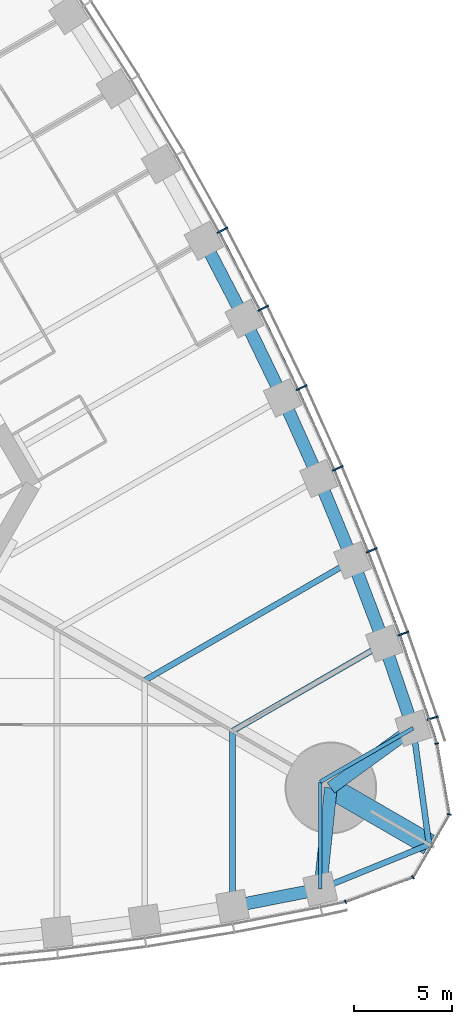
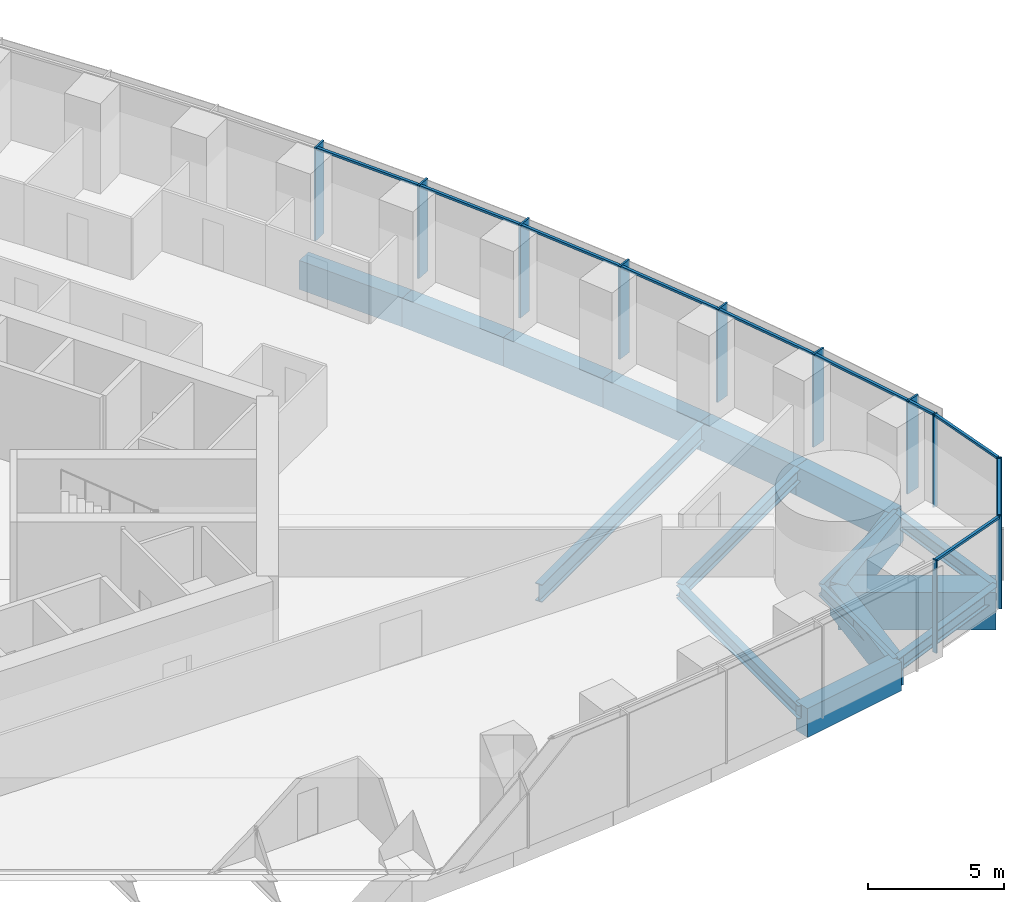
# One storey, part 6 of 18: 21 members, 17 beams, 2 elements without a shape of their own.
"""IFC4 building model written with IfcOpenShell, lengths in metres."""

import ifcopenshell
import ifcopenshell.guid

model = None  # the IFC model being written
_history = None  # IfcOwnerHistory: only IFC2X3 demands one
_inside = {}  # id of a spatial element -> (the spatial element, [elements in it])
_under = {}  # id of a project, library or spatial element -> (it, [spatial elements below it])
_declared = {}  # id of a project -> (the project, [libraries it declares])
_typed = {}  # id of a type object -> (the type object, [elements of that type])
_made_of = {}  # id of a material, layer set ... -> (it, [elements and type objects made of it])


def new_model(schema):
    """Start an empty IFC model of exactly this schema.

    Asked for "IFC4X3", IfcOpenShell would pick the latest addendum, in which some entities
    have other attributes; the version numbers below select the first issue.
    IFC2X3 requires an IfcOwnerHistory on every rooted entity: one is made here for all.
    """
    global model, _history
    if schema == "IFC4X3":
        model = ifcopenshell.file(schema_version=(4, 3, 0, 0))
    else:
        model = ifcopenshell.file(schema=schema)
    _inside.clear()
    _under.clear()
    _declared.clear()
    _typed.clear()
    _made_of.clear()
    _history = None
    if model.schema == "IFC2X3":
        org = make("IfcOrganization", Name="unknown")
        user = make(
            "IfcPersonAndOrganization",
            ThePerson=make("IfcPerson", FamilyName="unknown"),
            TheOrganization=org,
        )
        app = make(
            "IfcApplication",
            ApplicationDeveloper=org,
            Version="unknown",
            ApplicationFullName="unknown",
            ApplicationIdentifier="unknown",
        )
        _history = make(
            "IfcOwnerHistory",
            OwningUser=user,
            OwningApplication=app,
            ChangeAction="ADDED",
            CreationDate=0,
        )
    return model


def make(cls, **values):
    """One entity of the class cls with the attributes given. An attribute that is None is left unset."""
    return model.create_entity(
        cls, **{name: value for name, value in values.items() if value is not None}
    )


def rooted(cls, **values):
    """An entity with a GlobalId (a new one), such as an element, a storey or a relation."""
    return make(cls, GlobalId=ifcopenshell.guid.new(), OwnerHistory=_history, **values)


def si_unit(unit_type, name, prefix=None):
    """IfcSIUnit, for example si_unit("LENGTHUNIT", "METRE", prefix="MILLI")."""
    return make("IfcSIUnit", UnitType=unit_type, Prefix=prefix, Name=name)


def assignment(units):
    """IfcUnitAssignment: the units of a project."""
    return None if units is None else make("IfcUnitAssignment", Units=units)


def point(xyz):
    """IfcCartesianPoint."""
    return None if xyz is None else make("IfcCartesianPoint", Coordinates=xyz)


def direction(xyz):
    """IfcDirection."""
    return None if xyz is None else make("IfcDirection", DirectionRatios=xyz)


def frame(location, z_axis=None, x_axis=None):
    """IfcAxis2Placement3D, a coordinate frame: its origin and axes. An axis left out is left unset."""
    return make(
        "IfcAxis2Placement3D",
        Location=point(location),
        Axis=direction(z_axis),
        RefDirection=direction(x_axis),
    )


def frame_2d(location, x_axis=None):
    """IfcAxis2Placement2D, a coordinate frame in the plane: its origin and x axis."""
    return make(
        "IfcAxis2Placement2D", Location=point(location), RefDirection=direction(x_axis)
    )


def origin():
    """The frame at (0, 0, 0) with its axes left unset."""
    return frame((0.0, 0.0, 0.0))


def origin_2d():
    """The frame at (0, 0) in the plane with its x axis left unset."""
    return frame_2d((0.0, 0.0))


def place(relative_to, where):
    """IfcLocalPlacement: puts the frame where relative to a parent placement (None: the world)."""
    return make(
        "IfcLocalPlacement", PlacementRelTo=relative_to, RelativePlacement=where
    )


def context(
    kind, dimensions, precision=None, world=None, true_north=None, identifier=None
):
    """IfcGeometricRepresentationContext, for example the 3D "Model" context."""
    return make(
        "IfcGeometricRepresentationContext",
        ContextIdentifier=identifier,
        ContextType=kind,
        CoordinateSpaceDimension=dimensions,
        Precision=precision,
        WorldCoordinateSystem=world,
        TrueNorth=true_north,
    )


def subcontext(parent, identifier, kind, view, scale=None):
    """IfcGeometricRepresentationSubContext, for example "Body" below "Model"."""
    return make(
        "IfcGeometricRepresentationSubContext",
        ContextIdentifier=identifier,
        ContextType=kind,
        ParentContext=parent,
        TargetScale=scale,
        TargetView=view,
    )


def project(units=None, contexts=None):
    """IfcProject with its units and contexts."""
    return rooted(
        "IfcProject",
        Name="project",
        RepresentationContexts=contexts,
        UnitsInContext=assignment(units),
    )


def spatial(cls, under=None, at=None, **own):
    """A site, building, storey or space (cls), placed at a placement, below another one or the project."""
    s = rooted(cls, ObjectPlacement=at, **own)
    if under is not None:
        _under.setdefault(under.id(), (under, []))[1].append(s)
    return s


def profile(cls, at=None, kind="AREA", **sizes):
    """A parametric profile (cls). Its sizes go by their IFC names, for example OverallWidth=200.0."""
    return make(cls, ProfileType=kind, Position=at, **sizes)


def rectangle(**sizes):
    """IfcRectangleProfileDef."""
    return profile("IfcRectangleProfileDef", **sizes)


def i_section(**sizes):
    """IfcIShapeProfileDef."""
    return profile("IfcIShapeProfileDef", **sizes)


def extrude(swept, where, along, depth):
    """IfcExtrudedAreaSolid: the profile swept, set in the frame where, extruded along a direction by depth."""
    return make(
        "IfcExtrudedAreaSolid",
        SweptArea=swept,
        Position=where,
        ExtrudedDirection=direction(along),
        Depth=depth,
    )


def shape(context_of_items, identifier, shape_type, items):
    """IfcShapeRepresentation: the items that make up one representation, for example the "Body"."""
    return make(
        "IfcShapeRepresentation",
        ContextOfItems=context_of_items,
        RepresentationIdentifier=identifier,
        RepresentationType=shape_type,
        Items=items,
    )


def material(Name=None, Category=None):
    """IfcMaterial."""
    return make("IfcMaterial", Name=Name, Category=Category)


def material_profile(
    of_material, cross_section, Name=None, Category=None, Priority=None
):
    """IfcMaterialProfile: a cross section and its material."""
    return make(
        "IfcMaterialProfile",
        Name=Name,
        Material=of_material,
        Profile=cross_section,
        Priority=Priority,
        Category=Category,
    )


def profile_set(profiles, Name=None, composite=None):
    """IfcMaterialProfileSet."""
    return make(
        "IfcMaterialProfileSet",
        Name=Name,
        MaterialProfiles=profiles,
        CompositeProfile=composite,
    )


def made_of(thing, what):
    """Note that an element or type object is made of a material, layer set ...; save() writes the relation."""
    if what is not None:
        _made_of.setdefault(what.id(), (what, []))[1].append(thing)
    return thing


def type_object(cls, material=None, **own):
    """A type object (cls), such as IfcWallType, which elements share."""
    return made_of(rooted(cls, **own), material)


def element(
    cls,
    number,
    at=None,
    inside=None,
    cuts=None,
    type_object=None,
    material=None,
    context=None,
    identifier="Body",
    shape_type=None,
    held_by="IfcProductDefinitionShape",
    body=None,
    shapes=None,
    **own,
):
    """One element of the class cls, such as IfcWall. Its Tag is "e" and its number.

    at: its placement. inside: the storey or other place that contains it. cuts: it is an
    opening in that element (IfcRelVoidsElement). A single representation is given by context,
    identifier, shape_type and body (its items); several are given by shapes. held_by: the class
    of the entity that holds the representations. save() writes the other relations.
    """
    e = rooted(cls, Tag="e%d" % number, ObjectPlacement=at, **own)
    if body is not None:
        shapes = [shape(context, identifier, shape_type, body)]
    if shapes is not None:
        e.Representation = make(held_by, Representations=shapes)
    if inside is not None:
        _inside.setdefault(inside.id(), (inside, []))[1].append(e)
    if cuts is not None:
        rooted(
            "IfcRelVoidsElement", RelatingBuildingElement=cuts, RelatedOpeningElement=e
        )
    if type_object is not None:
        _typed.setdefault(type_object.id(), (type_object, []))[1].append(e)
    return made_of(e, material)


def aggregate(whole, parts):
    """IfcRelAggregates: a whole, such as a stair, and the parts it consists of."""
    return rooted("IfcRelAggregates", RelatingObject=whole, RelatedObjects=parts)


def save(model, path):
    """Write the relations noted so far, then the file.

    IfcRelAggregates (storeys below a building ...), IfcRelContainedInSpatialStructure (elements
    in a storey), IfcRelDefinesByType, IfcRelAssociatesMaterial and IfcRelDeclares: one each for
    every whole, place, type object, material and project.
    """
    for whole, parts in _under.values():
        aggregate(whole, parts)
    for where, things in _inside.values():
        rooted(
            "IfcRelContainedInSpatialStructure",
            RelatedElements=things,
            RelatingStructure=where,
        )
    for kind, things in _typed.values():
        rooted("IfcRelDefinesByType", RelatedObjects=things, RelatingType=kind)
    for what, things in _made_of.values():
        rooted("IfcRelAssociatesMaterial", RelatedObjects=things, RelatingMaterial=what)
    for by, libraries in _declared.values():
        rooted("IfcRelDeclares", RelatingContext=by, RelatedDefinitions=libraries)
    model.write(path)


model = new_model("IFC4")

# Units and contexts
model_context = context("Model", 3, precision=1e-05, world=origin(), true_north=direction((0.0, 1.0)))
body_context = subcontext(model_context, "Body", "Model", "MODEL_VIEW")
ifc_project = project(units=[si_unit("LENGTHUNIT", "METRE"), si_unit("AREAUNIT", "SQUARE_METRE"), si_unit("VOLUMEUNIT", "CUBIC_METRE"), si_unit("PLANEANGLEUNIT", "RADIAN"), si_unit("MASSUNIT", "GRAM", prefix="KILO")], contexts=[model_context])

# Site, building, storey
site_placement = place(None, origin())
site = spatial("IfcSite", under=ifc_project, at=site_placement, CompositionType="ELEMENT")
building_placement = place(site_placement, origin())
building = spatial("IfcBuilding", under=site, at=building_placement, Name="Trefoil Bronze Tower", CompositionType="ELEMENT")
storey_placement = place(building_placement, frame((0.0, 0.0, 33.300048828125)))
storey = spatial("IfcBuildingStorey", under=building, at=storey_placement, Name="L07", CompositionType="ELEMENT", Elevation=33.300048828125)

# Curtain wall, members
ifc_material_1 = material(Name="Tinted solar-control glass", Category="glass")
curtain_wall_type_1 = type_object("IfcCurtainWallType", Name="Bronze office curtain wall", PredefinedType="USERDEFINED", material=ifc_material_1)
curtain_wall_1_placement = place(storey_placement, origin())
curtain_wall_1 = element("IfcCurtainWall", 1, at=curtain_wall_1_placement, inside=storey, type_object=curtain_wall_type_1, Name="CW-A L07 F2", ObjectType="CURTAIN WALL", PredefinedType="USERDEFINED")
ifc_material_2 = material(Name="Bronze-finish aluminium", Category="aluminium")
ifc_material_profile_1 = material_profile(ifc_material_2, rectangle(XDim=0.60009765625, YDim=0.080078125, at=origin_2d()), Name="CW-A mullion")
ifc_profile_set_1 = profile_set([ifc_material_profile_1], Name="Bronze-finish aluminium")
member_type_1 = type_object("IfcMemberType", Name="Bronze office curtain wall mullion", PredefinedType="MULLION", material=ifc_profile_set_1)
member_1_placement = place(storey_placement, frame((37.265869140625, -14.92626953125, 0.0), z_axis=(0.0, 0.0, 1.0), x_axis=(-0.947850592929, -0.318715003543, 0.0)))
member_1 = element("IfcMember", 2, at=member_1_placement, type_object=member_type_1, Name="CW-A L07 F2 mullion 2", PredefinedType="MULLION", context=body_context, shape_type="SweptSolid", body=[
    extrude(rectangle(XDim=0.60009765625, YDim=0.080078125, at=origin_2d()), origin(), (0.0, 0.0, 1.0), 4.179931640625),
])
member_2_placement = place(storey_placement, frame((35.761962890625, -10.590087890625, 0.0), z_axis=(0.0, 0.0, 1.0), x_axis=(-0.939860248316, -0.341559238839, 0.0)))
member_2 = element("IfcMember", 3, at=member_2_placement, type_object=member_type_1, Name="CW-A L07 F2 mullion 3", PredefinedType="MULLION", context=body_context, shape_type="SweptSolid", body=[
    extrude(rectangle(XDim=0.60009765625, YDim=0.080078125, at=origin_2d()), origin(), (0.0, 0.0, 1.0), 4.179931640625),
])
member_3_placement = place(storey_placement, frame((34.138916015625, -6.32080078125, 0.0), z_axis=(0.0, 0.0, 1.0), x_axis=(-0.929413605838, -0.369039766534, 0.0)))
member_3 = element("IfcMember", 4, at=member_3_placement, type_object=member_type_1, Name="CW-A L07 F2 mullion 4", PredefinedType="MULLION", context=body_context, shape_type="SweptSolid", body=[
    extrude(rectangle(XDim=0.60009765625, YDim=0.080078125, at=origin_2d()), origin(), (0.0, 0.0, 1.0), 4.179931640625),
])
member_4_placement = place(storey_placement, frame((32.39892578125, -2.119384765625, 0.0), z_axis=(0.0, 0.0, 1.0), x_axis=(-0.918213748442, -0.396085233469, 0.0)))
member_4 = element("IfcMember", 5, at=member_4_placement, type_object=member_type_1, Name="CW-A L07 F2 mullion 5", PredefinedType="MULLION", context=body_context, shape_type="SweptSolid", body=[
    extrude(rectangle(XDim=0.60009765625, YDim=0.080078125, at=origin_2d()), origin(), (0.0, 0.0, 1.0), 4.179931640625),
])
member_5_placement = place(storey_placement, frame((30.543212890625, 2.015380859375, 0.0), z_axis=(0.0, 0.0, 1.0), x_axis=(-0.906269346572, -0.422700687798, 0.0)))
member_5 = element("IfcMember", 6, at=member_5_placement, type_object=member_type_1, Name="CW-A L07 F2 mullion 6", PredefinedType="MULLION", context=body_context, shape_type="SweptSolid", body=[
    extrude(rectangle(XDim=0.60009765625, YDim=0.080078125, at=origin_2d()), origin(), (0.0, 0.0, 1.0), 4.179931640625),
])
member_6_placement = place(storey_placement, frame((28.57275390625, 6.084228515625, 0.0), z_axis=(0.0, 0.0, 1.0), x_axis=(-0.893587025891, -0.448889994497, 0.0)))
member_6 = element("IfcMember", 7, at=member_6_placement, type_object=member_type_1, Name="CW-A L07 F2 mullion 7", PredefinedType="MULLION", context=body_context, shape_type="SweptSolid", body=[
    extrude(rectangle(XDim=0.60009765625, YDim=0.080078125, at=origin_2d()), origin(), (0.0, 0.0, 1.0), 4.179931640625),
])
member_7_placement = place(storey_placement, frame((26.488525390625, 10.0869140625, 0.0), z_axis=(0.0, 0.0, 1.0), x_axis=(-0.880171454588, -0.474655886437, 0.0)))
member_7 = element("IfcMember", 8, at=member_7_placement, type_object=member_type_1, Name="CW-A L07 F2 mullion 8", PredefinedType="MULLION", context=body_context, shape_type="SweptSolid", body=[
    extrude(rectangle(XDim=0.60009765625, YDim=0.080078125, at=origin_2d()), origin(), (0.0, 0.0, 1.0), 4.179931640625),
])
ifc_material_3 = material(Name="Bronze-finish aluminium", Category="aluminium")
ifc_material_profile_2 = material_profile(ifc_material_3, rectangle(XDim=0.1201171875, YDim=0.10009765625, at=origin_2d()), Name="CW-A transom")
ifc_profile_set_2 = profile_set([ifc_material_profile_2], Name="Bronze-finish aluminium")
member_type_2 = type_object("IfcMemberType", Name="Bronze office curtain wall transom", PredefinedType="USERDEFINED", material=ifc_profile_set_2)
member_8_placement = place(storey_placement, frame((37.4638671875, -16.1796875, 4.1298828125), z_axis=(-0.309624219148, 0.950859002648, 0.0), x_axis=(-0.950859002648, -0.309624219148, 0.0)))
member_8 = element("IfcMember", 9, at=member_8_placement, type_object=member_type_2, Name="CW-A L07 F2 transom 1", ObjectType="TRANSOM", PredefinedType="USERDEFINED", context=body_context, shape_type="SweptSolid", body=[
    extrude(rectangle(XDim=0.1201171875, YDim=0.10009765625, at=origin_2d()), origin(), (0.0, 0.0, 1.0), 1.21044921875),
])
member_9_placement = place(storey_placement, frame((37.06298828125, -14.951171875, 4.1298828125), z_axis=(-0.327689728493, 0.944785394595, 0.0), x_axis=(-0.944785394595, -0.327689728493, 0.0)))
member_9 = element("IfcMember", 10, at=member_9_placement, type_object=member_type_2, Name="CW-A L07 F2 transom 2", ObjectType="TRANSOM", PredefinedType="USERDEFINED", context=body_context, shape_type="SweptSolid", body=[
    extrude(rectangle(XDim=0.1201171875, YDim=0.10009765625, at=origin_2d()), origin(), (0.0, 0.0, 1.0), 4.502197265625),
])
member_10_placement = place(storey_placement, frame((35.559326171875, -10.61962890625, 4.1298828125), z_axis=(-0.355367327392, 0.934726731522, 0.0), x_axis=(-0.934726731522, -0.355367327392, 0.0)))
member_10 = element("IfcMember", 11, at=member_10_placement, type_object=member_type_2, Name="CW-A L07 F2 transom 3", ObjectType="TRANSOM", PredefinedType="USERDEFINED", context=body_context, shape_type="SweptSolid", body=[
    extrude(rectangle(XDim=0.1201171875, YDim=0.10009765625, at=origin_2d()), origin(), (0.0, 0.0, 1.0), 4.478515625),
])
member_11_placement = place(storey_placement, frame((33.937255859375, -6.3564453125, 4.1298828125), z_axis=(-0.382616149417, 0.923907399151, 0.0), x_axis=(-0.923907399151, -0.382616149417, 0.0)))
member_11 = element("IfcMember", 12, at=member_11_placement, type_object=member_type_2, Name="CW-A L07 F2 transom 4", ObjectType="TRANSOM", PredefinedType="USERDEFINED", context=body_context, shape_type="SweptSolid", body=[
    extrude(rectangle(XDim=0.1201171875, YDim=0.10009765625, at=origin_2d()), origin(), (0.0, 0.0, 1.0), 4.458984375),
])
member_12_placement = place(storey_placement, frame((32.1982421875, -2.16064453125, 4.1298828125), z_axis=(-0.409459746452, 0.912328184392, 0.0), x_axis=(-0.912328184392, -0.409459746452, 0.0)))
member_12 = element("IfcMember", 13, at=member_12_placement, type_object=member_type_2, Name="CW-A L07 F2 transom 5", ObjectType="TRANSOM", PredefinedType="USERDEFINED", context=body_context, shape_type="SweptSolid", body=[
    extrude(rectangle(XDim=0.1201171875, YDim=0.10009765625, at=origin_2d()), origin(), (0.0, 0.0, 1.0), 4.443359375),
])
member_13_placement = place(storey_placement, frame((30.34375, 1.96826171875, 4.1298828125), z_axis=(-0.435851763293, 0.900018466719, 0.0), x_axis=(-0.900018466719, -0.435851763293, 0.0)))
member_13 = element("IfcMember", 14, at=member_13_placement, type_object=member_type_2, Name="CW-A L07 F2 transom 6", ObjectType="TRANSOM", PredefinedType="USERDEFINED", context=body_context, shape_type="SweptSolid", body=[
    extrude(rectangle(XDim=0.1201171875, YDim=0.10009765625, at=origin_2d()), origin(), (0.0, 0.0, 1.0), 4.431884765625),
])
member_14_placement = place(storey_placement, frame((28.375, 6.031005859375, 4.1298828125), z_axis=(-0.461809621225, 0.886979071762, 0.0), x_axis=(-0.886979071762, -0.461809621225, 0.0)))
member_14 = element("IfcMember", 15, at=member_14_placement, type_object=member_type_2, Name="CW-A L07 F2 transom 7", ObjectType="TRANSOM", PredefinedType="USERDEFINED", context=body_context, shape_type="SweptSolid", body=[
    extrude(rectangle(XDim=0.1201171875, YDim=0.10009765625, at=origin_2d()), origin(), (0.0, 0.0, 1.0), 4.42431640625),
])
aggregate(curtain_wall_1, [member_1, member_2, member_3, member_4, member_5, member_6, member_7, member_8, member_9, member_10, member_11, member_12, member_13, member_14])

ifc_material_4 = material(Name="Tinted solar-control glass", Category="glass")
curtain_wall_type_2 = type_object("IfcCurtainWallType", Name="Bronze rounded corner curtain wall", PredefinedType="USERDEFINED", material=ifc_material_4)
curtain_wall_2_placement = place(storey_placement, origin())
curtain_wall_2 = element("IfcCurtainWall", 16, at=curtain_wall_2_placement, inside=storey, type_object=curtain_wall_type_2, Name="CW-B L07 K1", ObjectType="CURTAIN WALL", PredefinedType="USERDEFINED")
ifc_material_5 = material(Name="Bronze-finish aluminium", Category="aluminium")
ifc_material_profile_3 = material_profile(ifc_material_5, rectangle(XDim=0.199951171875, YDim=0.06005859375, at=origin_2d()), Name="CW-B mullion")
ifc_profile_set_3 = profile_set([ifc_material_profile_3], Name="Bronze-finish aluminium")
member_type_3 = type_object("IfcMemberType", Name="Bronze rounded corner curtain wall mullion", PredefinedType="MULLION", material=ifc_profile_set_3)
member_15_placement = place(storey_placement, frame((32.796630859375, -24.3427734375, 0.0), z_axis=(0.0, 0.0, 1.0), x_axis=(-0.342020143326, 0.939692620786, 0.0)))
member_15 = element("IfcMember", 17, at=member_15_placement, type_object=member_type_3, Name="CW-B L07 K1 mullion 1", PredefinedType="MULLION", context=body_context, shape_type="SweptSolid", body=[
    extrude(rectangle(XDim=0.199951171875, YDim=0.06005859375, at=origin_2d()), origin(), (0.0, 0.0, 1.0), 4.179931640625),
])
member_16_placement = place(storey_placement, frame((36.2548828125, -23.07763671875, 0.0), z_axis=(0.0, 0.0, 1.0), x_axis=(-0.642787609687, 0.766044443119, 0.0)))
member_16 = element("IfcMember", 18, at=member_16_placement, type_object=member_type_3, Name="CW-B L07 K1 mullion 2", PredefinedType="MULLION", context=body_context, shape_type="SweptSolid", body=[
    extrude(rectangle(XDim=0.199951171875, YDim=0.06005859375, at=origin_2d()), origin(), (0.0, 0.0, 1.0), 4.179931640625),
])
member_17_placement = place(storey_placement, frame((38.11328125, -19.85888671875, 0.0), z_axis=(0.0, 0.0, 1.0), x_axis=(-0.984807753012, 0.173648177667, 0.0)))
member_17 = element("IfcMember", 19, at=member_17_placement, type_object=member_type_3, Name="CW-B L07 K1 mullion 3", PredefinedType="MULLION", context=body_context, shape_type="SweptSolid", body=[
    extrude(rectangle(XDim=0.199951171875, YDim=0.06005859375, at=origin_2d()), origin(), (0.0, 0.0, 1.0), 4.179931640625),
])
member_18_placement = place(storey_placement, frame((37.479736328125, -16.2314453125, 0.0), z_axis=(0.0, 0.0, 1.0), x_axis=(-0.984807753012, -0.173648177667, 0.0)))
member_18 = element("IfcMember", 20, at=member_18_placement, type_object=member_type_3, Name="CW-B L07 K1 mullion 4", PredefinedType="MULLION", context=body_context, shape_type="SweptSolid", body=[
    extrude(rectangle(XDim=0.199951171875, YDim=0.06005859375, at=origin_2d()), origin(), (0.0, 0.0, 1.0), 4.179931640625),
])
ifc_material_6 = material(Name="Bronze-finish aluminium", Category="aluminium")
ifc_material_profile_4 = material_profile(ifc_material_6, rectangle(XDim=0.1201171875, YDim=0.10009765625, at=origin_2d()), Name="CW-B transom")
ifc_profile_set_4 = profile_set([ifc_material_profile_4], Name="Bronze-finish aluminium")
member_type_4 = type_object("IfcMemberType", Name="Bronze rounded corner curtain wall transom", PredefinedType="USERDEFINED", material=ifc_profile_set_4)
member_19_placement = place(storey_placement, frame((32.82470703125, -24.33251953125, 4.1298828125), z_axis=(0.939688092095, 0.342032585545, 0.0), x_axis=(-0.342032585545, 0.939688092095, 0.0)))
member_19 = element("IfcMember", 21, at=member_19_placement, type_object=member_type_4, Name="CW-B L07 K1 transom 1", ObjectType="TRANSOM", PredefinedType="USERDEFINED", context=body_context, shape_type="SweptSolid", body=[
    extrude(rectangle(XDim=0.1201171875, YDim=0.10009765625, at=origin_2d()), origin(), (0.0, 0.0, 1.0), 3.588134765625),
])
member_20_placement = place(storey_placement, frame((36.292236328125, -23.02490234375, 4.1298828125), z_axis=(0.500024788772, 0.866011091507, 0.0), x_axis=(-0.866011091507, 0.500024788772, 0.0)))
member_20 = element("IfcMember", 22, at=member_20_placement, type_object=member_type_4, Name="CW-B L07 K1 transom 2", ObjectType="TRANSOM", PredefinedType="USERDEFINED", context=body_context, shape_type="SweptSolid", body=[
    extrude(rectangle(XDim=0.1201171875, YDim=0.10009765625, at=origin_2d()), origin(), (0.0, 0.0, 1.0), 3.588134765625),
])
member_21_placement = place(storey_placement, frame((38.10791015625, -19.794677734375, 4.1298828125), z_axis=(-0.17363783606, 0.984809576461, 0.0), x_axis=(-0.984809576461, -0.17363783606, 0.0)))
member_21 = element("IfcMember", 23, at=member_21_placement, type_object=member_type_4, Name="CW-B L07 K1 transom 3", ObjectType="TRANSOM", PredefinedType="USERDEFINED", context=body_context, shape_type="SweptSolid", body=[
    extrude(rectangle(XDim=0.1201171875, YDim=0.10009765625, at=origin_2d()), origin(), (0.0, 0.0, 1.0), 3.588134765625),
])
aggregate(curtain_wall_2, [member_15, member_16, member_17, member_18, member_19, member_20, member_21])

# Beams
ifc_material_7 = material(Name="Concrete B80", Category="concrete")
ifc_material_profile_5 = material_profile(ifc_material_7, rectangle(XDim=1.10009765625, YDim=1.699951171875, at=origin_2d()), Name="RC 1100x1700")
ifc_profile_set_5 = profile_set([ifc_material_profile_5], Name="Concrete B80")
beam_type_1 = type_object("IfcBeamType", Name="Corner cantilever RC 1100x1700", PredefinedType="BEAM", material=ifc_profile_set_5)
beam_1_placement = place(storey_placement, frame((32.04296875, -18.5, -1.050048828125), z_axis=(0.866030348588, -0.499991435252, 0.0), x_axis=(0.499991435252, 0.866030348588, 0.0)))
element("IfcBeam", 24, at=beam_1_placement, inside=storey, type_object=beam_type_1, Name="Corner cantilever K1 L07", PredefinedType="BEAM", context=body_context, shape_type="SweptSolid", body=[
    extrude(rectangle(XDim=1.10009765625, YDim=1.699951171875, at=origin_2d()), origin(), (0.0, 0.0, 1.0), 5.81396484375),
])
ifc_material_8 = material(Name="Steel C355", Category="steel")
ifc_material_profile_6 = material_profile(ifc_material_8, i_section(OverallWidth=0.300048828125, OverallDepth=0.60009765625, WebThickness=0.015380859375, FlangeThickness=0.030029296875, FilletRadius=0.027099609375, at=origin_2d()), Name="HEB 600")
ifc_profile_set_6 = profile_set([ifc_material_profile_6], Name="Steel C355")
beam_type_2 = type_object("IfcBeamType", Name="Corner edge beam HEB 600", PredefinedType="BEAM", material=ifc_profile_set_6)
beam_2_placement = place(storey_placement, frame((31.5, -23.684814453125, -0.5), z_axis=(0.925786874353, 0.378045848114, 0.0), x_axis=(-0.378045848114, 0.925786874353, 0.0)))
element("IfcBeam", 25, at=beam_2_placement, inside=storey, type_object=beam_type_2, Name="Corner edge beam F1A L07", PredefinedType="BEAM", context=body_context, shape_type="SweptSolid", body=[
    extrude(i_section(OverallWidth=0.300048828125, OverallDepth=0.60009765625, WebThickness=0.015380859375, FlangeThickness=0.030029296875, FilletRadius=0.027099609375, at=origin_2d()), origin(), (0.0, 0.0, 1.0), 6.025390625),
])
beam_3_placement = place(storey_placement, frame((36.26171875, -15.4375, -0.5), z_axis=(0.13550196505, -0.990777077585, 0.0), x_axis=(0.990777077585, 0.13550196505, 0.0)))
element("IfcBeam", 26, at=beam_3_placement, inside=storey, type_object=beam_type_2, Name="Corner edge beam F2B L07", PredefinedType="BEAM", context=body_context, shape_type="SweptSolid", body=[
    extrude(i_section(OverallWidth=0.300048828125, OverallDepth=0.60009765625, WebThickness=0.015380859375, FlangeThickness=0.030029296875, FilletRadius=0.027099609375, at=origin_2d()), origin(), (0.0, 0.0, 1.0), 6.025146484375),
])
ifc_material_9 = material(Name="Concrete B80", Category="concrete")
ifc_material_profile_7 = material_profile(ifc_material_9, rectangle(XDim=0.64990234375, YDim=1.300048828125, at=origin_2d()), Name="RC 650x1300")
ifc_profile_set_7 = profile_set([ifc_material_profile_7], Name="Concrete B80")
beam_type_3 = type_object("IfcBeamType", Name="End spandrel beam RC 650x1300", PredefinedType="SPANDREL", material=ifc_profile_set_7)
for number, where, z_axis, x_axis, name in (
    (27, (31.5, -23.684814453125, -0.85009765625), (0.104153327908, 0.994561252154, 0.0), (-0.994561252154, 0.104153327908, 0.0), "Spandrel F1.16 L07"),
    (28, (32.04296875, -18.5, -0.85009765625), (0.809254211267, 0.587458612624, 0.0), (-0.587458612624, 0.809254211267, 0.0), "Spandrel F2.1 L07"),
):
    element("IfcBeam", number, at=place(storey_placement, frame(where, z_axis=z_axis, x_axis=x_axis)), inside=storey, type_object=beam_type_3, Name=name, PredefinedType="SPANDREL", context=body_context, shape_type="SweptSolid", body=[
        extrude(rectangle(XDim=0.64990234375, YDim=1.300048828125, at=origin_2d()), origin(), (0.0, 0.0, 1.0), 5.213134765625),
    ])
ifc_material_10 = material(Name="Steel C355", Category="steel")
ifc_material_profile_8 = material_profile(ifc_material_10, i_section(OverallWidth=0.300048828125, OverallDepth=0.590087890625, WebThickness=0.012939453125, FlangeThickness=0.02490234375, FilletRadius=0.027099609375, at=origin_2d()), Name="HEA 600")
ifc_profile_set_8 = profile_set([ifc_material_profile_8], Name="Steel C355")
beam_type_4 = type_object("IfcBeamType", Name="Floor beam HEA 600", PredefinedType="BEAM", material=ifc_profile_set_8)
for number, where, z_axis, x_axis, name in (
    (29, (27.0, -24.56787109375, -0.4951171875), (0.0, 1.0, 0.0), (-1.0, 0.0, 0.0), "Floor beam F1/+6 L07"),
    (30, (34.7763671875, -11.0986328125, -0.4951171875), (-0.866022587327, -0.500004878216, 0.0), (0.500004878216, -0.866022587327, 0.0), "Floor beam F2/-6 L07"),
):
    element("IfcBeam", number, at=place(storey_placement, frame(where, z_axis=z_axis, x_axis=x_axis)), inside=storey, type_object=beam_type_4, Name=name, PredefinedType="BEAM", context=body_context, shape_type="SweptSolid", body=[
        extrude(i_section(OverallWidth=0.300048828125, OverallDepth=0.590087890625, WebThickness=0.012939453125, FlangeThickness=0.02490234375, FilletRadius=0.027099609375, at=origin_2d()), origin(), (0.0, 0.0, 1.0), 8.9794921875),
    ])
ifc_material_11 = material(Name="Steel C355", Category="steel")
ifc_material_profile_9 = material_profile(ifc_material_11, i_section(OverallWidth=0.300048828125, OverallDepth=0.800048828125, WebThickness=0.017578125, FlangeThickness=0.032958984375, FilletRadius=0.030029296875, at=origin_2d()), Name="HEB 800")
ifc_profile_set_9 = profile_set([ifc_material_profile_9], Name="Steel C355")
beam_type_5 = type_object("IfcBeamType", Name="Floor beam HEB 800", PredefinedType="BEAM", material=ifc_profile_set_9)
beam_4_placement = place(storey_placement, frame((33.159912109375, -6.8359375, -0.60009765625), z_axis=(-0.866024070878, -0.500002308654, 0.0), x_axis=(0.500002308654, -0.866024070878, 0.0)))
element("IfcBeam", 31, at=beam_4_placement, inside=storey, type_object=beam_type_5, Name="Floor beam F2/-5 L07", PredefinedType="BEAM", context=body_context, shape_type="SweptSolid", body=[
    extrude(i_section(OverallWidth=0.300048828125, OverallDepth=0.800048828125, WebThickness=0.017578125, FlangeThickness=0.032958984375, FilletRadius=0.030029296875, at=origin_2d()), origin(), (0.0, 0.0, 1.0), 12.30908203125),
])
ifc_material_12 = material(Name="Steel C355", Category="steel")
ifc_material_profile_10 = material_profile(ifc_material_12, i_section(OverallWidth=0.199951171875, OverallDepth=0.5, WebThickness=0.01025390625, FlangeThickness=0.01611328125, FilletRadius=0.02099609375, at=origin_2d()), Name="IPE 500")
ifc_profile_set_10 = profile_set([ifc_material_profile_10], Name="Steel C355")
beam_type_6 = type_object("IfcBeamType", Name="Floor beam IPE 500", PredefinedType="BEAM", material=ifc_profile_set_10)
for number, where, z_axis, x_axis, name in (
    (32, (31.5, -23.684814453125, -0.449951171875), (0.0, 1.0, 0.0), (-1.0, 0.0, 0.0), "Floor beam F1/+7 L07"),
    (33, (36.26171875, -15.4375, -0.449951171875), (-0.866037702141, -0.499978698016, 0.0), (0.499978698016, -0.866037702141, 0.0), "Floor beam F2/-7 L07"),
):
    element("IfcBeam", number, at=place(storey_placement, frame(where, z_axis=z_axis, x_axis=x_axis)), inside=storey, type_object=beam_type_6, Name=name, PredefinedType="BEAM", context=body_context, shape_type="SweptSolid", body=[
        extrude(i_section(OverallWidth=0.199951171875, OverallDepth=0.5, WebThickness=0.01025390625, FlangeThickness=0.01611328125, FilletRadius=0.02099609375, at=origin_2d()), origin(), (0.0, 0.0, 1.0), 5.498291015625),
    ])
ifc_material_13 = material(Name="Concrete B80", Category="concrete")
ifc_material_profile_11 = material_profile(ifc_material_13, rectangle(XDim=0.64990234375, YDim=1.300048828125, at=origin_2d()), Name="RC 650x1300")
ifc_profile_set_11 = profile_set([ifc_material_profile_11], Name="Concrete B80")
beam_type_7 = type_object("IfcBeamType", Name="Spandrel beam RC 650x1300", PredefinedType="SPANDREL", material=ifc_profile_set_11)
beam_5_placement = place(storey_placement, frame((27.0, -24.56787109375, -0.85009765625), z_axis=(0.981284764092, 0.192562228283, 0.0), x_axis=(-0.192562228283, 0.981284764092, 0.0)))
element("IfcBeam", 34, at=beam_5_placement, inside=storey, type_object=beam_type_7, Name="Spandrel F1.15 L07", PredefinedType="SPANDREL", context=body_context, shape_type="SweptSolid", body=[
    extrude(rectangle(XDim=0.64990234375, YDim=1.300048828125, at=origin_2d()), origin(), (0.0, 0.0, 1.0), 4.5859375),
])
beam_6_placement = place(storey_placement, frame((36.26171875, -15.4375, -0.85009765625), z_axis=(-0.323883319148, 0.946097032855, 0.0), x_axis=(-0.946097032855, -0.323883319148, 0.0)))
element("IfcBeam", 35, at=beam_6_placement, inside=storey, type_object=beam_type_7, Name="Spandrel F2.2 L07", PredefinedType="SPANDREL", context=body_context, shape_type="SweptSolid", body=[
    extrude(rectangle(XDim=0.64990234375, YDim=1.300048828125, at=origin_2d()), origin(), (0.0, 0.0, 1.0), 4.586181640625),
])
beam_7_placement = place(storey_placement, frame((34.7763671875, -11.0986328125, -0.85009765625), z_axis=(-0.354571899767, 0.935028752443, 0.0), x_axis=(-0.935028752443, -0.354571899767, 0.0)))
element("IfcBeam", 36, at=beam_7_placement, inside=storey, type_object=beam_type_7, Name="Spandrel F2.3 L07", PredefinedType="SPANDREL", context=body_context, shape_type="SweptSolid", body=[
    extrude(rectangle(XDim=0.64990234375, YDim=1.300048828125, at=origin_2d()), origin(), (0.0, 0.0, 1.0), 4.558837890625),
])
beam_8_placement = place(storey_placement, frame((33.159912109375, -6.8359375, -0.85009765625), z_axis=(-0.382020825144, 0.924153715113, 0.0), x_axis=(-0.924153715113, -0.382020825144, 0.0)))
element("IfcBeam", 37, at=beam_8_placement, inside=storey, type_object=beam_type_7, Name="Spandrel F2.4 L07", PredefinedType="SPANDREL", context=body_context, shape_type="SweptSolid", body=[
    extrude(rectangle(XDim=0.64990234375, YDim=1.300048828125, at=origin_2d()), origin(), (0.0, 0.0, 1.0), 4.539306640625),
])
beam_9_placement = place(storey_placement, frame((31.42578125, -2.640869140625, -0.85009765625), z_axis=(-0.408945873044, 0.912558640812, 0.0), x_axis=(-0.912558640812, -0.408945873044, 0.0)))
element("IfcBeam", 38, at=beam_9_placement, inside=storey, type_object=beam_type_7, Name="Spandrel F2.5 L07", PredefinedType="SPANDREL", context=body_context, shape_type="SweptSolid", body=[
    extrude(rectangle(XDim=0.64990234375, YDim=1.300048828125, at=origin_2d()), origin(), (0.0, 0.0, 1.0), 4.5234375),
])
beam_10_placement = place(storey_placement, frame((29.575927734375, 1.487060546875, -0.85009765625), z_axis=(-0.435510013583, 0.900183885697, 0.0), x_axis=(-0.900183885697, -0.435510013583, 0.0)))
element("IfcBeam", 39, at=beam_10_placement, inside=storey, type_object=beam_type_7, Name="Spandrel F2.6 L07", PredefinedType="SPANDREL", context=body_context, shape_type="SweptSolid", body=[
    extrude(rectangle(XDim=0.64990234375, YDim=1.300048828125, at=origin_2d()), origin(), (0.0, 0.0, 1.0), 4.51220703125),
])
beam_11_placement = place(storey_placement, frame((27.61083984375, 5.548828125, -0.85009765625), z_axis=(-0.461637716615, 0.887068553495, 0.0), x_axis=(-0.887068553495, -0.461637716615, 0.0)))
element("IfcBeam", 40, at=beam_11_placement, inside=storey, type_object=beam_type_7, Name="Spandrel F2.7 L07", PredefinedType="SPANDREL", context=body_context, shape_type="SweptSolid", body=[
    extrude(rectangle(XDim=0.64990234375, YDim=1.300048828125, at=origin_2d()), origin(), (0.0, 0.0, 1.0), 4.50439453125),
])

save(model, "model.ifc")
